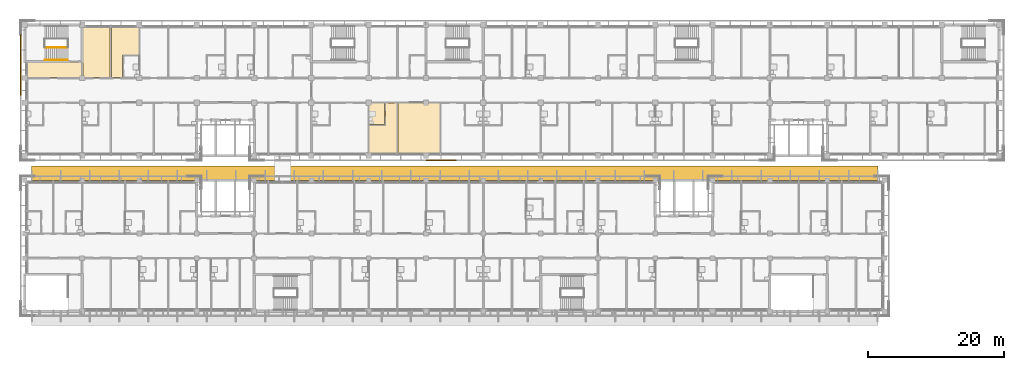
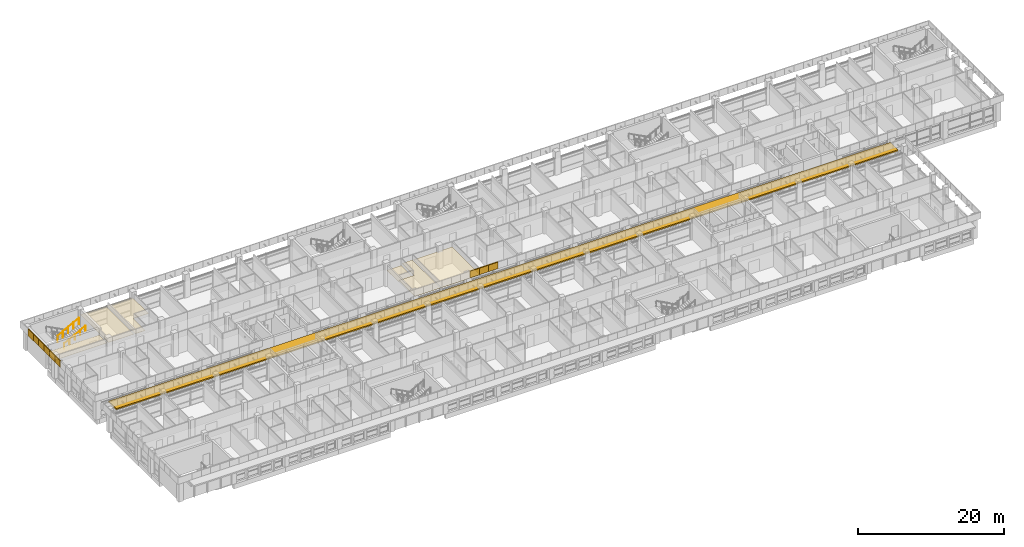
# One storey, part 64 of 71: 15 coverings, 2 railings, 1 shading device.
"""IFC4 building model written with IfcOpenShell, lengths in metres."""

import ifcopenshell
import ifcopenshell.guid

model = None  # the IFC model being written
_history = None  # IfcOwnerHistory: only IFC2X3 demands one
_inside = {}  # id of a spatial element -> (the spatial element, [elements in it])
_under = {}  # id of a project, library or spatial element -> (it, [spatial elements below it])
_declared = {}  # id of a project -> (the project, [libraries it declares])
_typed = {}  # id of a type object -> (the type object, [elements of that type])
_made_of = {}  # id of a material, layer set ... -> (it, [elements and type objects made of it])


def new_model(schema):
    """Start an empty IFC model of exactly this schema.

    Asked for "IFC4X3", IfcOpenShell would pick the latest addendum, in which some entities
    have other attributes; the version numbers below select the first issue.
    IFC2X3 requires an IfcOwnerHistory on every rooted entity: one is made here for all.
    """
    global model, _history
    if schema == "IFC4X3":
        model = ifcopenshell.file(schema_version=(4, 3, 0, 0))
    else:
        model = ifcopenshell.file(schema=schema)
    _inside.clear()
    _under.clear()
    _declared.clear()
    _typed.clear()
    _made_of.clear()
    _history = None
    if model.schema == "IFC2X3":
        org = make("IfcOrganization", Name="unknown")
        user = make(
            "IfcPersonAndOrganization",
            ThePerson=make("IfcPerson", FamilyName="unknown"),
            TheOrganization=org,
        )
        app = make(
            "IfcApplication",
            ApplicationDeveloper=org,
            Version="unknown",
            ApplicationFullName="unknown",
            ApplicationIdentifier="unknown",
        )
        _history = make(
            "IfcOwnerHistory",
            OwningUser=user,
            OwningApplication=app,
            ChangeAction="ADDED",
            CreationDate=0,
        )
    return model


def make(cls, **values):
    """One entity of the class cls with the attributes given. An attribute that is None is left unset."""
    return model.create_entity(
        cls, **{name: value for name, value in values.items() if value is not None}
    )


def rooted(cls, **values):
    """An entity with a GlobalId (a new one), such as an element, a storey or a relation."""
    return make(cls, GlobalId=ifcopenshell.guid.new(), OwnerHistory=_history, **values)


def si_unit(unit_type, name, prefix=None):
    """IfcSIUnit, for example si_unit("LENGTHUNIT", "METRE", prefix="MILLI")."""
    return make("IfcSIUnit", UnitType=unit_type, Prefix=prefix, Name=name)


def assignment(units):
    """IfcUnitAssignment: the units of a project."""
    return None if units is None else make("IfcUnitAssignment", Units=units)


def point(xyz):
    """IfcCartesianPoint."""
    return None if xyz is None else make("IfcCartesianPoint", Coordinates=xyz)


def direction(xyz):
    """IfcDirection."""
    return None if xyz is None else make("IfcDirection", DirectionRatios=xyz)


def frame(location, z_axis=None, x_axis=None):
    """IfcAxis2Placement3D, a coordinate frame: its origin and axes. An axis left out is left unset."""
    return make(
        "IfcAxis2Placement3D",
        Location=point(location),
        Axis=direction(z_axis),
        RefDirection=direction(x_axis),
    )


def frame_2d(location, x_axis=None):
    """IfcAxis2Placement2D, a coordinate frame in the plane: its origin and x axis."""
    return make(
        "IfcAxis2Placement2D", Location=point(location), RefDirection=direction(x_axis)
    )


def origin():
    """The frame at (0, 0, 0) with its axes left unset."""
    return frame((0.0, 0.0, 0.0))


def origin_2d():
    """The frame at (0, 0) in the plane with its x axis left unset."""
    return frame_2d((0.0, 0.0))


def place(relative_to, where):
    """IfcLocalPlacement: puts the frame where relative to a parent placement (None: the world)."""
    return make(
        "IfcLocalPlacement", PlacementRelTo=relative_to, RelativePlacement=where
    )


def context(
    kind, dimensions, precision=None, world=None, true_north=None, identifier=None
):
    """IfcGeometricRepresentationContext, for example the 3D "Model" context."""
    return make(
        "IfcGeometricRepresentationContext",
        ContextIdentifier=identifier,
        ContextType=kind,
        CoordinateSpaceDimension=dimensions,
        Precision=precision,
        WorldCoordinateSystem=world,
        TrueNorth=true_north,
    )


def subcontext(parent, identifier, kind, view, scale=None):
    """IfcGeometricRepresentationSubContext, for example "Body" below "Model"."""
    return make(
        "IfcGeometricRepresentationSubContext",
        ContextIdentifier=identifier,
        ContextType=kind,
        ParentContext=parent,
        TargetScale=scale,
        TargetView=view,
    )


def project(units=None, contexts=None):
    """IfcProject with its units and contexts."""
    return rooted(
        "IfcProject",
        Name="project",
        RepresentationContexts=contexts,
        UnitsInContext=assignment(units),
    )


def spatial(cls, under=None, at=None, **own):
    """A site, building, storey or space (cls), placed at a placement, below another one or the project."""
    s = rooted(cls, ObjectPlacement=at, **own)
    if under is not None:
        _under.setdefault(under.id(), (under, []))[1].append(s)
    return s


def polyline(points):
    """IfcPolyline through the points."""
    return make("IfcPolyline", Points=[point(p) for p in points])


def profile(cls, at=None, kind="AREA", **sizes):
    """A parametric profile (cls). Its sizes go by their IFC names, for example OverallWidth=200.0."""
    return make(cls, ProfileType=kind, Position=at, **sizes)


def circle(**sizes):
    """IfcCircleProfileDef."""
    return profile("IfcCircleProfileDef", **sizes)


def outline(outer, holes=None, kind="AREA"):
    """IfcArbitraryClosedProfileDef: a profile drawn as a closed curve; with holes, ...WithVoids."""
    if holes is None:
        return make("IfcArbitraryClosedProfileDef", ProfileType=kind, OuterCurve=outer)
    return make(
        "IfcArbitraryProfileDefWithVoids",
        ProfileType=kind,
        OuterCurve=outer,
        InnerCurves=holes,
    )


def extrude(swept, where, along, depth):
    """IfcExtrudedAreaSolid: the profile swept, set in the frame where, extruded along a direction by depth."""
    return make(
        "IfcExtrudedAreaSolid",
        SweptArea=swept,
        Position=where,
        ExtrudedDirection=direction(along),
        Depth=depth,
    )


def shape(context_of_items, identifier, shape_type, items):
    """IfcShapeRepresentation: the items that make up one representation, for example the "Body"."""
    return make(
        "IfcShapeRepresentation",
        ContextOfItems=context_of_items,
        RepresentationIdentifier=identifier,
        RepresentationType=shape_type,
        Items=items,
    )


def material(Name=None, Category=None):
    """IfcMaterial."""
    return make("IfcMaterial", Name=Name, Category=Category)


def layer(
    of_material, thickness, ventilated=None, Name=None, Category=None, Priority=None
):
    """IfcMaterialLayer: one layer of a wall or slab, of a material (None: an air gap)."""
    return make(
        "IfcMaterialLayer",
        Material=of_material,
        LayerThickness=thickness,
        IsVentilated=ventilated,
        Name=Name,
        Category=Category,
        Priority=Priority,
    )


def layer_set(layers, Name=None):
    """IfcMaterialLayerSet."""
    return make("IfcMaterialLayerSet", MaterialLayers=layers, LayerSetName=Name)


def made_of(thing, what):
    """Note that an element or type object is made of a material, layer set ...; save() writes the relation."""
    if what is not None:
        _made_of.setdefault(what.id(), (what, []))[1].append(thing)
    return thing


def type_object(cls, material=None, **own):
    """A type object (cls), such as IfcWallType, which elements share."""
    return made_of(rooted(cls, **own), material)


def element(
    cls,
    number,
    at=None,
    inside=None,
    cuts=None,
    type_object=None,
    material=None,
    context=None,
    identifier="Body",
    shape_type=None,
    held_by="IfcProductDefinitionShape",
    body=None,
    shapes=None,
    **own,
):
    """One element of the class cls, such as IfcWall. Its Tag is "e" and its number.

    at: its placement. inside: the storey or other place that contains it. cuts: it is an
    opening in that element (IfcRelVoidsElement). A single representation is given by context,
    identifier, shape_type and body (its items); several are given by shapes. held_by: the class
    of the entity that holds the representations. save() writes the other relations.
    """
    e = rooted(cls, Tag="e%d" % number, ObjectPlacement=at, **own)
    if body is not None:
        shapes = [shape(context, identifier, shape_type, body)]
    if shapes is not None:
        e.Representation = make(held_by, Representations=shapes)
    if inside is not None:
        _inside.setdefault(inside.id(), (inside, []))[1].append(e)
    if cuts is not None:
        rooted(
            "IfcRelVoidsElement", RelatingBuildingElement=cuts, RelatedOpeningElement=e
        )
    if type_object is not None:
        _typed.setdefault(type_object.id(), (type_object, []))[1].append(e)
    return made_of(e, material)


def aggregate(whole, parts):
    """IfcRelAggregates: a whole, such as a stair, and the parts it consists of."""
    return rooted("IfcRelAggregates", RelatingObject=whole, RelatedObjects=parts)


def save(model, path):
    """Write the relations noted so far, then the file.

    IfcRelAggregates (storeys below a building ...), IfcRelContainedInSpatialStructure (elements
    in a storey), IfcRelDefinesByType, IfcRelAssociatesMaterial and IfcRelDeclares: one each for
    every whole, place, type object, material and project.
    """
    for whole, parts in _under.values():
        aggregate(whole, parts)
    for where, things in _inside.values():
        rooted(
            "IfcRelContainedInSpatialStructure",
            RelatedElements=things,
            RelatingStructure=where,
        )
    for kind, things in _typed.values():
        rooted("IfcRelDefinesByType", RelatedObjects=things, RelatingType=kind)
    for what, things in _made_of.values():
        rooted("IfcRelAssociatesMaterial", RelatedObjects=things, RelatingMaterial=what)
    for by, libraries in _declared.values():
        rooted("IfcRelDeclares", RelatingContext=by, RelatedDefinitions=libraries)
    model.write(path)


model = new_model("IFC4")

# Units and contexts
model_context = context("Model", 3, precision=1e-05, world=origin(), true_north=direction((0.0, 1.0)))
body_context = subcontext(model_context, "Body", "Model", "MODEL_VIEW")
ifc_project = project(units=[si_unit("LENGTHUNIT", "METRE"), si_unit("AREAUNIT", "SQUARE_METRE"), si_unit("VOLUMEUNIT", "CUBIC_METRE"), si_unit("PLANEANGLEUNIT", "RADIAN"), si_unit("MASSUNIT", "GRAM", prefix="KILO")], contexts=[model_context])

# Site, building, storey
site_placement = place(None, origin())
site = spatial("IfcSite", under=ifc_project, at=site_placement, CompositionType="ELEMENT")
building_placement = place(site_placement, origin())
building = spatial("IfcBuilding", under=site, at=building_placement, Name="Bougainvillea Quay General Hospital", CompositionType="ELEMENT")
storey_placement = place(building_placement, frame((0.0, 0.0, 24.89990234375)))
storey = spatial("IfcBuildingStorey", under=building, at=storey_placement, Name="L05", CompositionType="ELEMENT", Elevation=24.89990234375)

# Coverings
ifc_material_1 = material(Name="Powder-coated aluminium fascia, white", Category="aluminium")
ifc_layer_1 = layer(ifc_material_1, 0.14990234375)
ifc_layer_set_1 = layer_set([ifc_layer_1], Name="Powder-coated aluminium fascia, white")
covering_type_1 = type_object("IfcCoveringType", Name="Aluminium fascia band white 150x1100", PredefinedType="CLADDING", material=ifc_layer_set_1)
covering_1_placement = place(storey_placement, frame((41.449951171875, 158.123046875, 3.35009765625), z_axis=(0.0, 0.0, 1.0), x_axis=(0.0, -1.0, 0.0)))
element("IfcCovering", 1, at=covering_1_placement, inside=storey, type_object=covering_type_1, Name="Fascia band white e0 98", PredefinedType="CLADDING", context=body_context, shape_type="SweptSolid", body=[
    extrude(outline(polyline([(0.0, 0.0), (1.476806640625, 0.0), (1.476806640625, -0.14990234375), (0.0, -0.14990234375), (0.0, 0.0)])), origin(), (0.0, 0.0, 1.0), 1.10009765625),
])
covering_2_placement = place(storey_placement, frame((41.449951171875, 156.646240234375, 3.35009765625), z_axis=(0.0, 0.0, 1.0), x_axis=(0.0, -1.0, 0.0)))
element("IfcCovering", 2, at=covering_2_placement, inside=storey, type_object=covering_type_1, Name="Fascia band white e0 99", PredefinedType="CLADDING", context=body_context, shape_type="SweptSolid", body=[
    extrude(outline(polyline([(0.0, 0.0), (1.47705078125, 0.0), (1.47705078125, -0.14990234375), (0.0, -0.14990234375), (0.0, 0.0)])), origin(), (0.0, 0.0, 1.0), 1.10009765625),
])
covering_3_placement = place(storey_placement, frame((41.449951171875, 155.169189453125, 3.35009765625), z_axis=(0.0, 0.0, 1.0), x_axis=(0.0, -1.0, 0.0)))
element("IfcCovering", 3, at=covering_3_placement, inside=storey, type_object=covering_type_1, Name="Fascia band white e0 100", PredefinedType="CLADDING", context=body_context, shape_type="SweptSolid", body=[
    extrude(outline(polyline([(0.0, 0.0), (1.476806640625, 0.0), (1.476806640625, -0.14990234375), (0.0, -0.14990234375), (0.0, 0.0)])), origin(), (0.0, 0.0, 1.0), 1.10009765625),
])
covering_4_placement = place(storey_placement, frame((41.449951171875, 153.6923828125, 3.35009765625), z_axis=(0.0, 0.0, 1.0), x_axis=(0.0, -1.0, 0.0)))
element("IfcCovering", 4, at=covering_4_placement, inside=storey, type_object=covering_type_1, Name="Fascia band white e0 101", PredefinedType="CLADDING", context=body_context, shape_type="SweptSolid", body=[
    extrude(outline(polyline([(0.0, 0.0), (1.47705078125, 0.0), (1.47705078125, -0.14990234375), (0.0, -0.14990234375), (0.0, 0.0)])), origin(), (0.0, 0.0, 1.0), 1.10009765625),
])
covering_5_placement = place(storey_placement, frame((41.449951171875, 152.21533203125, 3.35009765625), z_axis=(0.0, 0.0, 1.0), x_axis=(0.0, -1.0, 0.0)))
element("IfcCovering", 5, at=covering_5_placement, inside=storey, type_object=covering_type_1, Name="Fascia band white e0 102", PredefinedType="CLADDING", context=body_context, shape_type="SweptSolid", body=[
    extrude(outline(polyline([(0.0, 0.0), (1.476806640625, 0.0), (1.476806640625, -0.14990234375), (0.0, -0.14990234375), (0.0, 0.0)])), origin(), (0.0, 0.0, 1.0), 1.10009765625),
])
covering_6_placement = place(storey_placement, frame((41.449951171875, 150.738525390625, 3.35009765625), z_axis=(0.0, 0.0, 1.0), x_axis=(0.0, -1.0, 0.0)))
element("IfcCovering", 6, at=covering_6_placement, inside=storey, type_object=covering_type_1, Name="Fascia band white e0 103", PredefinedType="CLADDING", context=body_context, shape_type="SweptSolid", body=[
    extrude(outline(polyline([(0.0, 0.0), (1.47705078125, 0.0), (1.47705078125, -0.14990234375), (0.0, -0.14990234375), (0.0, 0.0)])), origin(), (0.0, 0.0, 1.0), 1.10009765625),
])
covering_7_placement = place(storey_placement, frame((100.800048828125, 139.85009765625, 3.35009765625), z_axis=(0.0, 0.0, 1.0), x_axis=(1.0, 0.0, 0.0)))
element("IfcCovering", 7, at=covering_7_placement, inside=storey, type_object=covering_type_1, Name="Fascia band white e0 158", PredefinedType="CLADDING", context=body_context, shape_type="SweptSolid", body=[
    extrude(outline(polyline([(0.0, 0.0), (1.482421875, 0.0), (1.482421875, -0.150146484375), (0.0, -0.150146484375), (0.0, 0.0)])), origin(), (0.0, 0.0, 1.0), 1.10009765625),
])
covering_8_placement = place(storey_placement, frame((102.282470703125, 139.85009765625, 3.35009765625), z_axis=(0.0, 0.0, 1.0), x_axis=(1.0, 0.0, 0.0)))
element("IfcCovering", 8, at=covering_8_placement, inside=storey, type_object=covering_type_1, Name="Fascia band white e0 159", PredefinedType="CLADDING", context=body_context, shape_type="SweptSolid", body=[
    extrude(outline(polyline([(0.0, 0.0), (1.482177734375, 0.0), (1.482177734375, -0.150146484375), (0.0, -0.150146484375), (0.0, 0.0)])), origin(), (0.0, 0.0, 1.0), 1.10009765625),
])
covering_9_placement = place(storey_placement, frame((103.7646484375, 139.85009765625, 3.35009765625), z_axis=(0.0, 0.0, 1.0), x_axis=(1.0, 0.0, 0.0)))
element("IfcCovering", 9, at=covering_9_placement, inside=storey, type_object=covering_type_1, Name="Fascia band white e0 160", PredefinedType="CLADDING", context=body_context, shape_type="SweptSolid", body=[
    extrude(outline(polyline([(0.0, 0.0), (1.482421875, 0.0), (1.482421875, -0.150146484375), (0.0, -0.150146484375), (0.0, 0.0)])), origin(), (0.0, 0.0, 1.0), 1.10009765625),
])

# Shading device
ifc_material_2 = material(Name="Powder-coated aluminium canopy soffit and fascia, white", Category="aluminium")
ifc_layer_2 = layer(ifc_material_2, 0.199951171875)
ifc_layer_set_2 = layer_set([ifc_layer_2], Name="Powder-coated aluminium canopy soffit and fascia, white")
shading_device_type = type_object("IfcShadingDeviceType", Name="Deep eave canopy 200", PredefinedType="AWNING", material=ifc_layer_set_2)
shading_device_placement = place(storey_placement, frame((0.0, 0.0, 3.2001953125)))
element("IfcShadingDevice", 10, at=shading_device_placement, inside=storey, type_object=shading_device_type, Name="Deep eave canopy N", PredefinedType="AWNING", context=body_context, shape_type="SweptSolid", body=[
    extrude(outline(polyline([(43.0, 136.800048828125), (167.0, 136.800048828125), (167.0, 138.89990234375), (43.0, 138.89990234375), (43.0, 136.800048828125)])), origin(), (0.0, 0.0, 1.0), 0.199951171875),
])

# Railings
ifc_material_3 = material(Name="Stainless steel 304 balustrade", Category="steel")
railing_type_1 = type_object("IfcRailingType", Name="Stair guard 1100", PredefinedType="GUARDRAIL", material=ifc_material_3)
railing_1_placement = place(storey_placement, frame((44.93994140625, 156.25, 2.10009765625)))
element("IfcRailing", 11, at=railing_1_placement, inside=storey, type_object=railing_type_1, Name="L05 ST-A1 stair guard 3", PredefinedType="GUARDRAIL", context=body_context, shape_type="SweptSolid", body=[
    extrude(circle(Radius=0.02392578125, at=origin_2d()), frame((0.0, 0.0, 1.076171875), z_axis=(0.881480922165, 0.0, 0.47221963519), x_axis=(0.0, 1.0, 0.0)), (0.0, 0.0, 1.0), 3.811767578125),
    extrude(circle(Radius=0.02099609375, at=origin_2d()), origin(), (0.0, 0.0, 1.0), 1.052001953125),
    extrude(circle(Radius=0.02099609375, at=origin_2d()), frame((0.840087890625, 0.0, 0.449951171875)), (0.0, 0.0, 1.0), 1.052001953125),
    extrude(circle(Radius=0.02099609375, at=origin_2d()), frame((1.68017578125, 0.0, 0.89990234375)), (0.0, 0.0, 1.0), 1.052001953125),
    extrude(circle(Radius=0.02099609375, at=origin_2d()), frame((2.52001953125, 0.0, 1.35009765625)), (0.0, 0.0, 1.0), 1.052001953125),
    extrude(circle(Radius=0.02099609375, at=origin_2d()), frame((3.360107421875, 0.0, 1.800048828125)), (0.0, 0.0, 1.0), 1.052001953125),
])
ifc_material_4 = material(Name="Stainless steel 304 handrail", Category="steel")
railing_type_2 = type_object("IfcRailingType", Name="Stair handrail 900", PredefinedType="HANDRAIL", material=ifc_material_4)
railing_2_placement = place(storey_placement, frame((44.93994140625, 154.425048828125, 2.10009765625)))
element("IfcRailing", 12, at=railing_2_placement, inside=storey, type_object=railing_type_2, Name="L05 ST-A1 stair handrail 2", PredefinedType="HANDRAIL", context=body_context, shape_type="SweptSolid", body=[
    extrude(circle(Radius=0.02392578125, at=origin_2d()), frame((0.0, 0.0, 0.8759765625), z_axis=(0.881480922165, 0.0, 0.47221963519), x_axis=(0.0, 1.0, 0.0)), (0.0, 0.0, 1.0), 3.811767578125),
    extrude(circle(Radius=0.02099609375, at=origin_2d()), origin(), (0.0, 0.0, 1.0), 0.851806640625),
    extrude(circle(Radius=0.02099609375, at=origin_2d()), frame((0.840087890625, 0.0, 0.449951171875)), (0.0, 0.0, 1.0), 0.851806640625),
    extrude(circle(Radius=0.02099609375, at=origin_2d()), frame((1.68017578125, 0.0, 0.89990234375)), (0.0, 0.0, 1.0), 0.851806640625),
    extrude(circle(Radius=0.02099609375, at=origin_2d()), frame((2.52001953125, 0.0, 1.35009765625)), (0.0, 0.0, 1.0), 0.851806640625),
    extrude(circle(Radius=0.02099609375, at=origin_2d()), frame((3.360107421875, 0.0, 1.800048828125)), (0.0, 0.0, 1.0), 0.851806640625),
])

# Coverings
ifc_material_5 = material(Name="Mineral fibre ceiling tile")
ifc_layer_3 = layer(ifc_material_5, 0.030029296875)
ifc_layer_set_3 = layer_set([ifc_layer_3], Name="Mineral fibre ceiling tile")
covering_type_2 = type_object("IfcCoveringType", Name="Suspended ceiling mineral fibre tile", PredefinedType="CEILING", material=ifc_layer_set_3)
covering_10_placement = place(storey_placement, frame((0.0, 0.0, 2.7001953125)))
element("IfcCovering", 13, at=covering_10_placement, inside=storey, type_object=covering_type_2, Name="Ceiling Refuge Room RR-A1-L05", PredefinedType="CEILING", context=body_context, shape_type="SweptSolid", body=[
    extrude(outline(polyline([(50.5, 159.60009765625), (50.5, 151.89990234375), (54.5, 151.89990234375), (54.5, 159.60009765625), (50.5, 159.60009765625)])), origin(), (0.0, 0.0, 1.0), 0.02978515625),
])
covering_11_placement = place(storey_placement, frame((0.0, 0.0, 2.7001953125)))
element("IfcCovering", 14, at=covering_11_placement, inside=storey, type_object=covering_type_2, Name="Ceiling Smoke-proof Vestibule ST-A1", PredefinedType="CEILING", context=body_context, shape_type="SweptSolid", body=[
    extrude(outline(polyline([(42.0, 151.89990234375), (50.300048828125, 151.89990234375), (50.300048828125, 154.10009765625), (42.0, 154.10009765625), (42.0, 151.89990234375)])), origin(), (0.0, 0.0, 1.0), 0.02978515625),
])
covering_12_placement = place(storey_placement, frame((0.0, 0.0, 2.7001953125)))
element("IfcCovering", 15, at=covering_12_placement, inside=storey, type_object=covering_type_2, Name="Ceiling Patient Room 05A05", PredefinedType="CEILING", context=body_context, shape_type="SweptSolid", body=[
    extrude(outline(polyline([(54.699951171875, 159.60009765625), (54.699951171875, 151.875), (56.324951171875, 151.875), (56.324951171875, 155.175048828125), (58.72509765625, 155.175048828125), (58.72509765625, 159.60009765625), (54.699951171875, 159.60009765625)])), origin(), (0.0, 0.0, 1.0), 0.02978515625),
])
covering_13_placement = place(storey_placement, frame((0.0, 0.0, 2.7001953125)))
element("IfcCovering", 16, at=covering_13_placement, inside=storey, type_object=covering_type_2, Name="Ceiling Patient Room 05A13", PredefinedType="CEILING", context=body_context, shape_type="SweptSolid", body=[
    extrude(outline(polyline([(96.52490234375, 140.39990234375), (96.52490234375, 148.125), (94.875, 148.125), (94.875, 144.824951171875), (92.47509765625, 144.824951171875), (92.47509765625, 140.39990234375), (96.52490234375, 140.39990234375)])), origin(), (0.0, 0.0, 1.0), 0.02978515625),
])
covering_14_placement = place(storey_placement, frame((0.0, 0.0, 2.400146484375)))
element("IfcCovering", 17, at=covering_14_placement, inside=storey, type_object=covering_type_2, Name="Ceiling En-suite 05A13", PredefinedType="CEILING", context=body_context, shape_type="SweptSolid", body=[
    extrude(outline(polyline([(92.47509765625, 144.97509765625), (94.72509765625, 144.97509765625), (94.72509765625, 148.125), (92.47509765625, 148.125), (92.47509765625, 144.97509765625)])), origin(), (0.0, 0.0, 1.0), 0.030029296875),
])
covering_15_placement = place(storey_placement, frame((0.0, 0.0, 2.7001953125)))
element("IfcCovering", 18, at=covering_15_placement, inside=storey, type_object=covering_type_2, Name="Ceiling Nurses' Station 05A14", PredefinedType="CEILING", context=body_context, shape_type="SweptSolid", body=[
    extrude(outline(polyline([(102.824951171875, 140.39990234375), (102.824951171875, 148.125), (96.675048828125, 148.125), (96.675048828125, 140.39990234375), (102.824951171875, 140.39990234375)])), origin(), (0.0, 0.0, 1.0), 0.02978515625),
])

save(model, "model.ifc")
